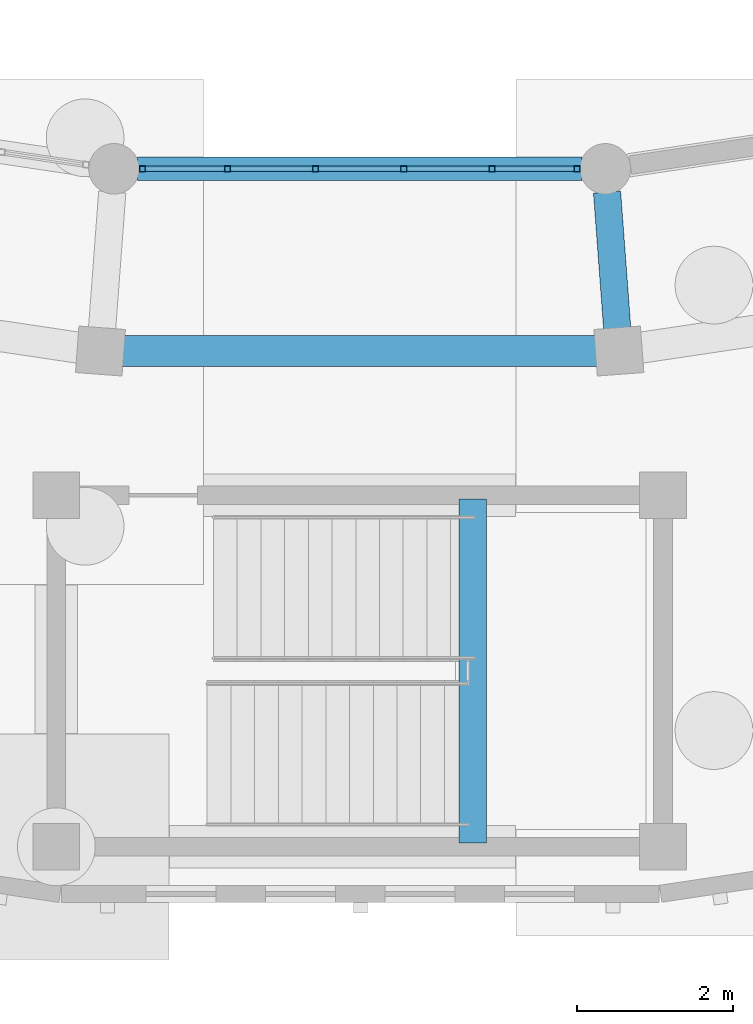
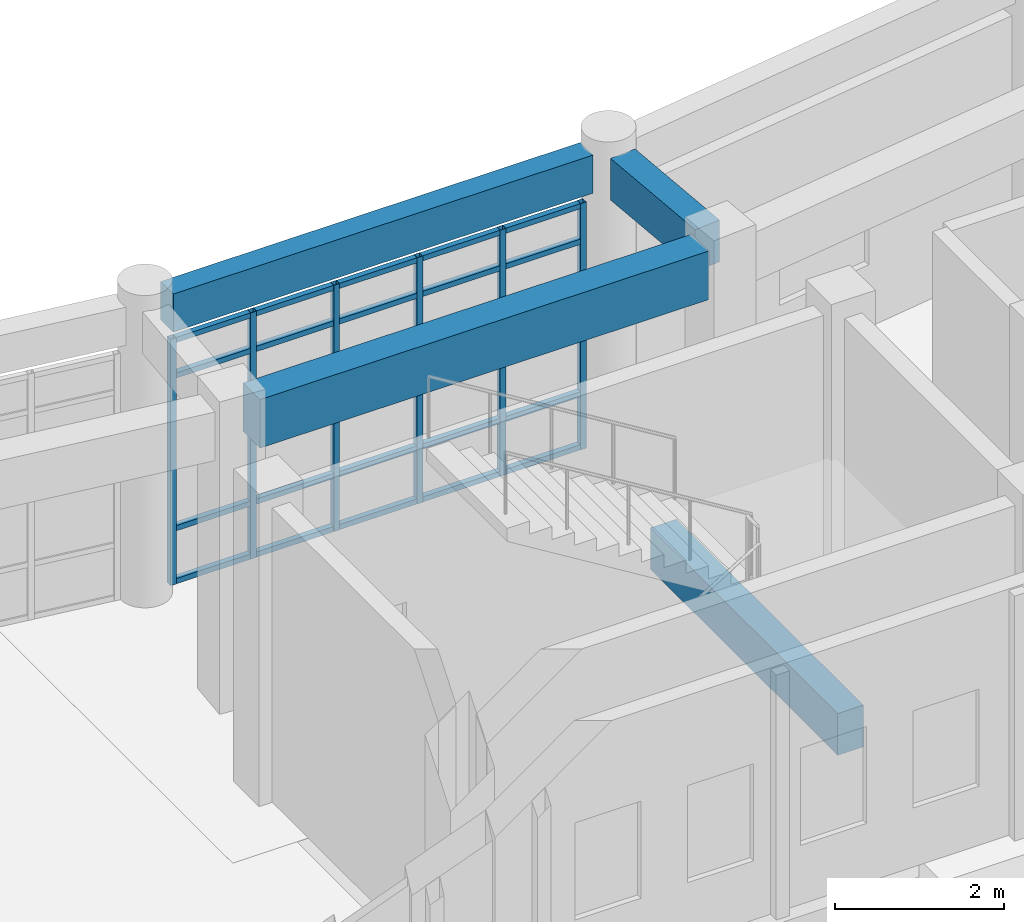
# One storey, part 39 of 153: 26 members, 4 beams, 1 element without a shape of its own.
"""IFC4 building model written with IfcOpenShell, lengths in metres."""

from ifc_helpers import new_model, si_unit, direction, frame, origin, origin_2d, place, context, subcontext, project, spatial, rectangle, hollow_rectangle, extrude, material, material_profile, profile_set, type_object, element, aggregate, save


model = new_model("IFC4")

# Units and contexts
model_context = context("Model", 3, precision=1e-05, world=origin(), true_north=direction((0.0, 1.0)))
body_context = subcontext(model_context, "Body", "Model", "MODEL_VIEW")
ifc_project = project(units=[si_unit("LENGTHUNIT", "METRE"), si_unit("AREAUNIT", "SQUARE_METRE"), si_unit("VOLUMEUNIT", "CUBIC_METRE"), si_unit("PLANEANGLEUNIT", "RADIAN"), si_unit("MASSUNIT", "GRAM", prefix="KILO")], contexts=[model_context])

# Site, building, storey
site_placement = place(None, origin())
site = spatial("IfcSite", under=ifc_project, at=site_placement, CompositionType="ELEMENT")
building_placement = place(site_placement, origin())
building = spatial("IfcBuilding", under=site, at=building_placement, Name="Celadon Cloister-Ring School", CompositionType="ELEMENT")
storey_placement = place(building_placement, origin())
storey = spatial("IfcBuildingStorey", under=building, at=storey_placement, Name="L00", CompositionType="ELEMENT", Elevation=0.0)

# Beams
ifc_material_1 = material(Name="Concrete C35/45", Category="concrete")
ifc_material_profile_1 = material_profile(ifc_material_1, rectangle(XDim=0.35009765625, YDim=0.60009765625, at=origin_2d()), Name="RC350X600")
ifc_profile_set_1 = profile_set([ifc_material_profile_1], Name="Concrete C35/45")
beam_type_1 = type_object("IfcBeamType", Name="BT-02", PredefinedType="BEAM", material=ifc_profile_set_1)
beam_1_placement = place(storey_placement, frame((90.31298828125, 14.39794921875, 3.97998046875), z_axis=(-0.074413800037, 0.997227449664, 0.0), x_axis=(-0.997227449664, -0.074413800037, 0.0)))
element("IfcBeam", 1, at=beam_1_placement, inside=storey, type_object=beam_type_1, Name="Beam 0035", PredefinedType="BEAM", context=body_context, shape_type="SweptSolid", body=[
    extrude(rectangle(XDim=0.35009765625, YDim=0.60009765625, at=origin_2d()), origin(), (0.0, 0.0, 1.0), 1.77490234375),
])
beam_2_placement = place(storey_placement, frame((88.455078125, 7.800048828125, 1.64990234375), z_axis=(0.0, 1.0, 0.0), x_axis=(-1.0, 0.0, 0.0)))
element("IfcBeam", 2, at=beam_2_placement, inside=storey, type_object=beam_type_1, Name="Stair Landing Beam 1751", PredefinedType="BEAM", context=body_context, shape_type="SweptSolid", body=[
    extrude(rectangle(XDim=0.35009765625, YDim=0.60009765625, at=origin_2d()), origin(), (0.0, 0.0, 1.0), 4.419921875),
])

# Curtain wall, members
ifc_material_2 = material(Name="Aluminium EN AW-6063 T6", Category="aluminium")
curtain_wall_type = type_object("IfcCurtainWallType", Name="CW-01", PredefinedType="USERDEFINED", material=ifc_material_2)
curtain_wall_placement = place(storey_placement, origin())
curtain_wall = element("IfcCurtainWall", 3, at=curtain_wall_placement, inside=storey, type_object=curtain_wall_type, Name="Curtain Wall 0010", ObjectType="CURTAIN WALL", PredefinedType="USERDEFINED")
ifc_material_3 = material(Name="Aluminium EN AW-6063 T6", Category="aluminium")
ifc_material_profile_2 = material_profile(ifc_material_3, hollow_rectangle(XDim=0.080078125, YDim=0.080078125, WallThickness=0.00390625, at=origin_2d()), Name="RHS80X80X4")
ifc_profile_set_2 = profile_set([ifc_material_profile_2], Name="Aluminium EN AW-6063 T6")
member_type_1 = type_object("IfcMemberType", Name="CM-03", PredefinedType="MULLION", material=ifc_profile_set_2)
member_1_placement = place(storey_placement, frame((84.2060546875, 16.467041015625, 0.0), z_axis=(0.0, 0.0, 1.0), x_axis=(0.0, 1.0, 0.0)))
member_1 = element("IfcMember", 4, at=member_1_placement, type_object=member_type_1, Name="CW-01 mullion 1", PredefinedType="MULLION", context=body_context, shape_type="SweptSolid", body=[
    extrude(hollow_rectangle(XDim=0.080078125, YDim=0.080078125, WallThickness=0.00390625, at=origin_2d()), origin(), (0.0, 0.0, 1.0), 3.550048828125),
])
member_2_placement = place(storey_placement, frame((85.299560546875, 16.467041015625, 0.0), z_axis=(0.0, 0.0, 1.0), x_axis=(0.0, 1.0, 0.0)))
member_2 = element("IfcMember", 5, at=member_2_placement, type_object=member_type_1, Name="CW-01 mullion 2", PredefinedType="MULLION", context=body_context, shape_type="SweptSolid", body=[
    extrude(hollow_rectangle(XDim=0.080078125, YDim=0.080078125, WallThickness=0.00390625, at=origin_2d()), origin(), (0.0, 0.0, 1.0), 3.550048828125),
])
member_3_placement = place(storey_placement, frame((86.43310546875, 16.467041015625, 0.0), z_axis=(0.0, 0.0, 1.0), x_axis=(0.0, 1.0, 0.0)))
member_3 = element("IfcMember", 6, at=member_3_placement, type_object=member_type_1, Name="CW-01 mullion 3", PredefinedType="MULLION", context=body_context, shape_type="SweptSolid", body=[
    extrude(hollow_rectangle(XDim=0.080078125, YDim=0.080078125, WallThickness=0.00390625, at=origin_2d()), origin(), (0.0, 0.0, 1.0), 3.550048828125),
])
member_4_placement = place(storey_placement, frame((87.56689453125, 16.467041015625, 0.0), z_axis=(0.0, 0.0, 1.0), x_axis=(0.0, 1.0, 0.0)))
member_4 = element("IfcMember", 7, at=member_4_placement, type_object=member_type_1, Name="CW-01 mullion 4", PredefinedType="MULLION", context=body_context, shape_type="SweptSolid", body=[
    extrude(hollow_rectangle(XDim=0.080078125, YDim=0.080078125, WallThickness=0.00390625, at=origin_2d()), origin(), (0.0, 0.0, 1.0), 3.550048828125),
])
member_5_placement = place(storey_placement, frame((88.700439453125, 16.467041015625, 0.0), z_axis=(0.0, 0.0, 1.0), x_axis=(0.0, 1.0, 0.0)))
member_5 = element("IfcMember", 8, at=member_5_placement, type_object=member_type_1, Name="CW-01 mullion 5", PredefinedType="MULLION", context=body_context, shape_type="SweptSolid", body=[
    extrude(hollow_rectangle(XDim=0.080078125, YDim=0.080078125, WallThickness=0.00390625, at=origin_2d()), origin(), (0.0, 0.0, 1.0), 3.550048828125),
])
member_6_placement = place(storey_placement, frame((89.7939453125, 16.467041015625, 0.0), z_axis=(0.0, 0.0, 1.0), x_axis=(0.0, 1.0, 0.0)))
member_6 = element("IfcMember", 9, at=member_6_placement, type_object=member_type_1, Name="CW-01 mullion 6", PredefinedType="MULLION", context=body_context, shape_type="SweptSolid", body=[
    extrude(hollow_rectangle(XDim=0.080078125, YDim=0.080078125, WallThickness=0.00390625, at=origin_2d()), origin(), (0.0, 0.0, 1.0), 3.550048828125),
])
ifc_material_4 = material(Name="Aluminium EN AW-6063 T6", Category="aluminium")
ifc_material_profile_3 = material_profile(ifc_material_4, hollow_rectangle(XDim=0.074951171875, YDim=0.074951171875, WallThickness=0.00390625, at=origin_2d()), Name="RHS75X75X4")
ifc_profile_set_3 = profile_set([ifc_material_profile_3], Name="Aluminium EN AW-6063 T6")
member_type_2 = type_object("IfcMemberType", Name="CTM-03", PredefinedType="USERDEFINED", material=ifc_profile_set_3)
member_7_placement = place(storey_placement, frame((84.24609375, 16.467041015625, 0.03759765625), z_axis=(1.0, 0.0, 0.0), x_axis=(0.0, 1.0, 0.0)))
member_7 = element("IfcMember", 10, at=member_7_placement, type_object=member_type_2, Name="CW-01 transom 1.1", ObjectType="TRANSOM", PredefinedType="USERDEFINED", context=body_context, shape_type="SweptSolid", body=[
    extrude(hollow_rectangle(XDim=0.074951171875, YDim=0.074951171875, WallThickness=0.00390625, at=origin_2d()), origin(), (0.0, 0.0, 1.0), 1.013427734375),
])
member_8_placement = place(storey_placement, frame((84.24609375, 16.467041015625, 0.800048828125), z_axis=(1.0, 0.0, 0.0), x_axis=(0.0, 1.0, 0.0)))
member_8 = element("IfcMember", 11, at=member_8_placement, type_object=member_type_2, Name="CW-01 transom 1.2", ObjectType="TRANSOM", PredefinedType="USERDEFINED", context=body_context, shape_type="SweptSolid", body=[
    extrude(hollow_rectangle(XDim=0.074951171875, YDim=0.074951171875, WallThickness=0.00390625, at=origin_2d()), origin(), (0.0, 0.0, 1.0), 1.013427734375),
])
member_9_placement = place(storey_placement, frame((84.24609375, 16.467041015625, 3.0), z_axis=(1.0, 0.0, 0.0), x_axis=(0.0, 1.0, 0.0)))
member_9 = element("IfcMember", 12, at=member_9_placement, type_object=member_type_2, Name="CW-01 transom 1.3", ObjectType="TRANSOM", PredefinedType="USERDEFINED", context=body_context, shape_type="SweptSolid", body=[
    extrude(hollow_rectangle(XDim=0.074951171875, YDim=0.074951171875, WallThickness=0.00390625, at=origin_2d()), origin(), (0.0, 0.0, 1.0), 1.013427734375),
])
member_10_placement = place(storey_placement, frame((84.24609375, 16.467041015625, 3.512451171875), z_axis=(1.0, 0.0, 0.0), x_axis=(0.0, 1.0, 0.0)))
member_10 = element("IfcMember", 13, at=member_10_placement, type_object=member_type_2, Name="CW-01 transom 1.4", ObjectType="TRANSOM", PredefinedType="USERDEFINED", context=body_context, shape_type="SweptSolid", body=[
    extrude(hollow_rectangle(XDim=0.074951171875, YDim=0.074951171875, WallThickness=0.00390625, at=origin_2d()), origin(), (0.0, 0.0, 1.0), 1.013427734375),
])
member_11_placement = place(storey_placement, frame((85.339599609375, 16.467041015625, 0.03759765625), z_axis=(1.0, 0.0, 0.0), x_axis=(0.0, 1.0, 0.0)))
member_11 = element("IfcMember", 14, at=member_11_placement, type_object=member_type_2, Name="CW-01 transom 2.1", ObjectType="TRANSOM", PredefinedType="USERDEFINED", context=body_context, shape_type="SweptSolid", body=[
    extrude(hollow_rectangle(XDim=0.074951171875, YDim=0.074951171875, WallThickness=0.00390625, at=origin_2d()), origin(), (0.0, 0.0, 1.0), 1.0537109375),
])
member_12_placement = place(storey_placement, frame((85.339599609375, 16.467041015625, 0.800048828125), z_axis=(1.0, 0.0, 0.0), x_axis=(0.0, 1.0, 0.0)))
member_12 = element("IfcMember", 15, at=member_12_placement, type_object=member_type_2, Name="CW-01 transom 2.2", ObjectType="TRANSOM", PredefinedType="USERDEFINED", context=body_context, shape_type="SweptSolid", body=[
    extrude(hollow_rectangle(XDim=0.074951171875, YDim=0.074951171875, WallThickness=0.00390625, at=origin_2d()), origin(), (0.0, 0.0, 1.0), 1.0537109375),
])
member_13_placement = place(storey_placement, frame((85.339599609375, 16.467041015625, 3.0), z_axis=(1.0, 0.0, 0.0), x_axis=(0.0, 1.0, 0.0)))
member_13 = element("IfcMember", 16, at=member_13_placement, type_object=member_type_2, Name="CW-01 transom 2.3", ObjectType="TRANSOM", PredefinedType="USERDEFINED", context=body_context, shape_type="SweptSolid", body=[
    extrude(hollow_rectangle(XDim=0.074951171875, YDim=0.074951171875, WallThickness=0.00390625, at=origin_2d()), origin(), (0.0, 0.0, 1.0), 1.0537109375),
])
member_14_placement = place(storey_placement, frame((85.339599609375, 16.467041015625, 3.512451171875), z_axis=(1.0, 0.0, 0.0), x_axis=(0.0, 1.0, 0.0)))
member_14 = element("IfcMember", 17, at=member_14_placement, type_object=member_type_2, Name="CW-01 transom 2.4", ObjectType="TRANSOM", PredefinedType="USERDEFINED", context=body_context, shape_type="SweptSolid", body=[
    extrude(hollow_rectangle(XDim=0.074951171875, YDim=0.074951171875, WallThickness=0.00390625, at=origin_2d()), origin(), (0.0, 0.0, 1.0), 1.0537109375),
])
member_15_placement = place(storey_placement, frame((86.47314453125, 16.467041015625, 0.03759765625), z_axis=(1.0, 0.0, 0.0), x_axis=(0.0, 1.0, 0.0)))
member_15 = element("IfcMember", 18, at=member_15_placement, type_object=member_type_2, Name="CW-01 transom 3.1", ObjectType="TRANSOM", PredefinedType="USERDEFINED", context=body_context, shape_type="SweptSolid", body=[
    extrude(hollow_rectangle(XDim=0.074951171875, YDim=0.074951171875, WallThickness=0.00390625, at=origin_2d()), origin(), (0.0, 0.0, 1.0), 1.0537109375),
])
member_16_placement = place(storey_placement, frame((86.47314453125, 16.467041015625, 0.800048828125), z_axis=(1.0, 0.0, 0.0), x_axis=(0.0, 1.0, 0.0)))
member_16 = element("IfcMember", 19, at=member_16_placement, type_object=member_type_2, Name="CW-01 transom 3.2", ObjectType="TRANSOM", PredefinedType="USERDEFINED", context=body_context, shape_type="SweptSolid", body=[
    extrude(hollow_rectangle(XDim=0.074951171875, YDim=0.074951171875, WallThickness=0.00390625, at=origin_2d()), origin(), (0.0, 0.0, 1.0), 1.0537109375),
])
member_17_placement = place(storey_placement, frame((86.47314453125, 16.467041015625, 3.0), z_axis=(1.0, 0.0, 0.0), x_axis=(0.0, 1.0, 0.0)))
member_17 = element("IfcMember", 20, at=member_17_placement, type_object=member_type_2, Name="CW-01 transom 3.3", ObjectType="TRANSOM", PredefinedType="USERDEFINED", context=body_context, shape_type="SweptSolid", body=[
    extrude(hollow_rectangle(XDim=0.074951171875, YDim=0.074951171875, WallThickness=0.00390625, at=origin_2d()), origin(), (0.0, 0.0, 1.0), 1.0537109375),
])
member_18_placement = place(storey_placement, frame((86.47314453125, 16.467041015625, 3.512451171875), z_axis=(1.0, 0.0, 0.0), x_axis=(0.0, 1.0, 0.0)))
member_18 = element("IfcMember", 21, at=member_18_placement, type_object=member_type_2, Name="CW-01 transom 3.4", ObjectType="TRANSOM", PredefinedType="USERDEFINED", context=body_context, shape_type="SweptSolid", body=[
    extrude(hollow_rectangle(XDim=0.074951171875, YDim=0.074951171875, WallThickness=0.00390625, at=origin_2d()), origin(), (0.0, 0.0, 1.0), 1.0537109375),
])
member_19_placement = place(storey_placement, frame((87.606689453125, 16.467041015625, 0.03759765625), z_axis=(1.0, 0.0, 0.0), x_axis=(0.0, 1.0, 0.0)))
member_19 = element("IfcMember", 22, at=member_19_placement, type_object=member_type_2, Name="CW-01 transom 4.1", ObjectType="TRANSOM", PredefinedType="USERDEFINED", context=body_context, shape_type="SweptSolid", body=[
    extrude(hollow_rectangle(XDim=0.074951171875, YDim=0.074951171875, WallThickness=0.00390625, at=origin_2d()), origin(), (0.0, 0.0, 1.0), 1.0537109375),
])
member_20_placement = place(storey_placement, frame((87.606689453125, 16.467041015625, 0.800048828125), z_axis=(1.0, 0.0, 0.0), x_axis=(0.0, 1.0, 0.0)))
member_20 = element("IfcMember", 23, at=member_20_placement, type_object=member_type_2, Name="CW-01 transom 4.2", ObjectType="TRANSOM", PredefinedType="USERDEFINED", context=body_context, shape_type="SweptSolid", body=[
    extrude(hollow_rectangle(XDim=0.074951171875, YDim=0.074951171875, WallThickness=0.00390625, at=origin_2d()), origin(), (0.0, 0.0, 1.0), 1.0537109375),
])
member_21_placement = place(storey_placement, frame((87.606689453125, 16.467041015625, 3.0), z_axis=(1.0, 0.0, 0.0), x_axis=(0.0, 1.0, 0.0)))
member_21 = element("IfcMember", 24, at=member_21_placement, type_object=member_type_2, Name="CW-01 transom 4.3", ObjectType="TRANSOM", PredefinedType="USERDEFINED", context=body_context, shape_type="SweptSolid", body=[
    extrude(hollow_rectangle(XDim=0.074951171875, YDim=0.074951171875, WallThickness=0.00390625, at=origin_2d()), origin(), (0.0, 0.0, 1.0), 1.0537109375),
])
member_22_placement = place(storey_placement, frame((87.606689453125, 16.467041015625, 3.512451171875), z_axis=(1.0, 0.0, 0.0), x_axis=(0.0, 1.0, 0.0)))
member_22 = element("IfcMember", 25, at=member_22_placement, type_object=member_type_2, Name="CW-01 transom 4.4", ObjectType="TRANSOM", PredefinedType="USERDEFINED", context=body_context, shape_type="SweptSolid", body=[
    extrude(hollow_rectangle(XDim=0.074951171875, YDim=0.074951171875, WallThickness=0.00390625, at=origin_2d()), origin(), (0.0, 0.0, 1.0), 1.0537109375),
])
member_23_placement = place(storey_placement, frame((88.740478515625, 16.467041015625, 0.03759765625), z_axis=(1.0, 0.0, 0.0), x_axis=(0.0, 1.0, 0.0)))
member_23 = element("IfcMember", 26, at=member_23_placement, type_object=member_type_2, Name="CW-01 transom 5.1", ObjectType="TRANSOM", PredefinedType="USERDEFINED", context=body_context, shape_type="SweptSolid", body=[
    extrude(hollow_rectangle(XDim=0.074951171875, YDim=0.074951171875, WallThickness=0.00390625, at=origin_2d()), origin(), (0.0, 0.0, 1.0), 1.013427734375),
])
member_24_placement = place(storey_placement, frame((88.740478515625, 16.467041015625, 0.800048828125), z_axis=(1.0, 0.0, 0.0), x_axis=(0.0, 1.0, 0.0)))
member_24 = element("IfcMember", 27, at=member_24_placement, type_object=member_type_2, Name="CW-01 transom 5.2", ObjectType="TRANSOM", PredefinedType="USERDEFINED", context=body_context, shape_type="SweptSolid", body=[
    extrude(hollow_rectangle(XDim=0.074951171875, YDim=0.074951171875, WallThickness=0.00390625, at=origin_2d()), origin(), (0.0, 0.0, 1.0), 1.013427734375),
])
member_25_placement = place(storey_placement, frame((88.740478515625, 16.467041015625, 3.0), z_axis=(1.0, 0.0, 0.0), x_axis=(0.0, 1.0, 0.0)))
member_25 = element("IfcMember", 28, at=member_25_placement, type_object=member_type_2, Name="CW-01 transom 5.3", ObjectType="TRANSOM", PredefinedType="USERDEFINED", context=body_context, shape_type="SweptSolid", body=[
    extrude(hollow_rectangle(XDim=0.074951171875, YDim=0.074951171875, WallThickness=0.00390625, at=origin_2d()), origin(), (0.0, 0.0, 1.0), 1.013427734375),
])
member_26_placement = place(storey_placement, frame((88.740478515625, 16.467041015625, 3.512451171875), z_axis=(1.0, 0.0, 0.0), x_axis=(0.0, 1.0, 0.0)))
member_26 = element("IfcMember", 29, at=member_26_placement, type_object=member_type_2, Name="CW-01 transom 5.4", ObjectType="TRANSOM", PredefinedType="USERDEFINED", context=body_context, shape_type="SweptSolid", body=[
    extrude(hollow_rectangle(XDim=0.074951171875, YDim=0.074951171875, WallThickness=0.00390625, at=origin_2d()), origin(), (0.0, 0.0, 1.0), 1.013427734375),
])
aggregate(curtain_wall, [member_1, member_2, member_3, member_4, member_5, member_6, member_7, member_8, member_9, member_10, member_11, member_12, member_13, member_14, member_15, member_16, member_17, member_18, member_19, member_20, member_21, member_22, member_23, member_24, member_25, member_26])

# Beams
ifc_material_5 = material(Name="Concrete C35/45", Category="concrete")
ifc_material_profile_4 = material_profile(ifc_material_5, rectangle(XDim=0.39990234375, YDim=0.699951171875, at=origin_2d()), Name="RC400X700")
ifc_profile_set_4 = profile_set([ifc_material_profile_4], Name="Concrete C35/45")
beam_type_2 = type_object("IfcBeamType", Name="GT-03", PredefinedType="USERDEFINED", material=ifc_profile_set_4)
beam_3_placement = place(storey_placement, frame((83.94189453125, 14.1240234375, 3.929931640625), z_axis=(1.0, 0.0, 0.0), x_axis=(0.0, 1.0, 0.0)))
element("IfcBeam", 30, at=beam_3_placement, inside=storey, type_object=beam_type_2, Name="Beam 0133", ObjectType="GIRDER", PredefinedType="USERDEFINED", context=body_context, shape_type="SweptSolid", body=[
    extrude(rectangle(XDim=0.39990234375, YDim=0.699951171875, at=origin_2d()), origin(), (0.0, 0.0, 1.0), 6.1162109375),
])
ifc_material_6 = material(Name="Concrete C35/45", Category="concrete")
ifc_material_profile_5 = material_profile(ifc_material_6, rectangle(XDim=0.300048828125, YDim=0.550048828125, at=origin_2d()), Name="RC300X550")
ifc_profile_set_5 = profile_set([ifc_material_profile_5], Name="Concrete C35/45")
beam_type_3 = type_object("IfcBeamType", Name="SP-02", PredefinedType="SPANDREL", material=ifc_profile_set_5)
beam_4_placement = place(storey_placement, frame((84.14111328125, 16.467041015625, 4.0048828125), z_axis=(1.0, 0.0, 0.0), x_axis=(0.0, 1.0, 0.0)))
element("IfcBeam", 31, at=beam_4_placement, inside=storey, type_object=beam_type_3, Name="Beam 0134", PredefinedType="SPANDREL", context=body_context, shape_type="SweptSolid", body=[
    extrude(rectangle(XDim=0.300048828125, YDim=0.550048828125, at=origin_2d()), origin(), (0.0, 0.0, 1.0), 5.7177734375),
])

save(model, "model.ifc")
